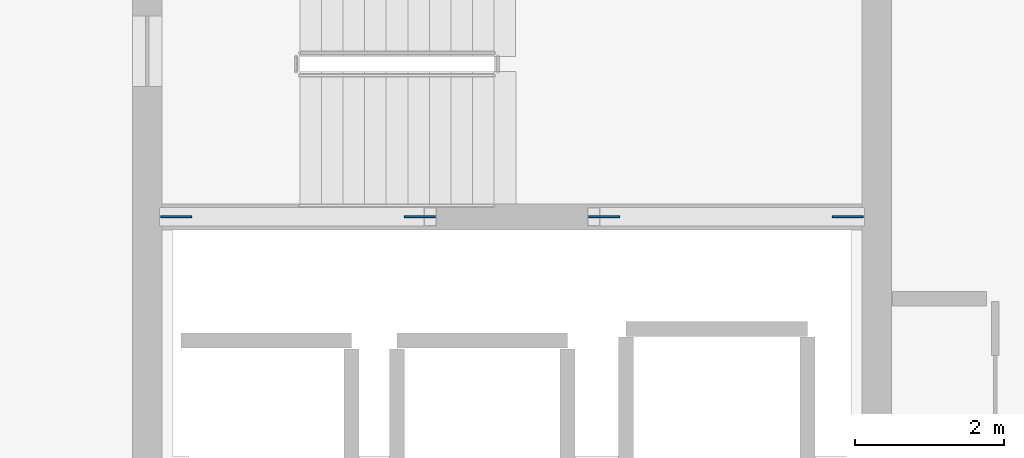
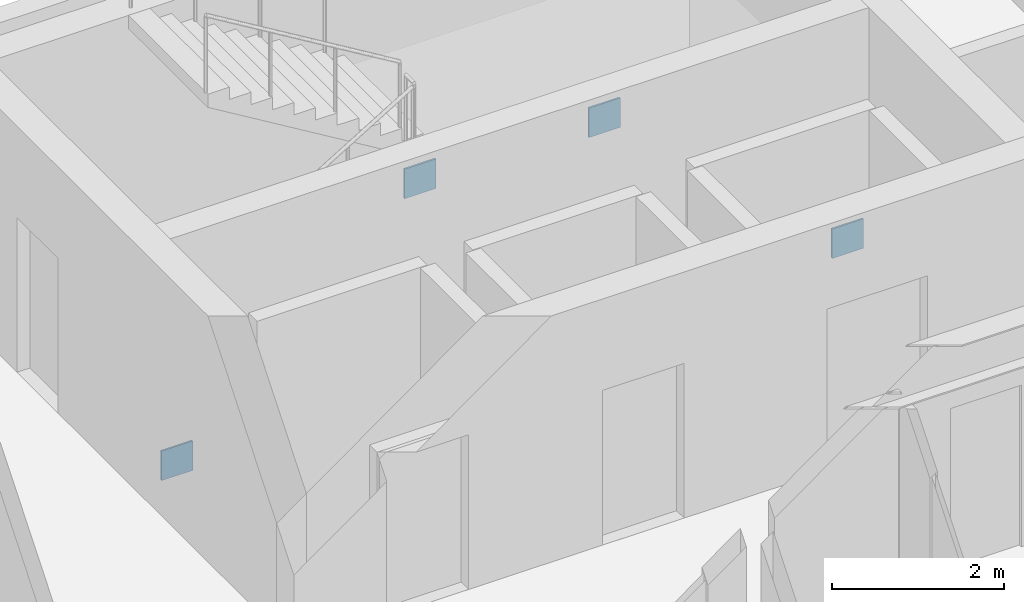
# One storey, part 8 of 23: 4 plates.
"""IFC4 building model written with IfcOpenShell, lengths in metres."""

from ifc_helpers import new_model, si_unit, direction, frame, origin, origin_2d, place, context, subcontext, project, spatial, rectangle, extrude, material, layer, layer_set, type_object, element, save


model = new_model("IFC4")

# Units and contexts
model_context = context("Model", 3, precision=1e-05, world=origin(), true_north=direction((0.0, 1.0)))
body_context = subcontext(model_context, "Body", "Model", "MODEL_VIEW")
ifc_project = project(units=[si_unit("LENGTHUNIT", "METRE"), si_unit("AREAUNIT", "SQUARE_METRE"), si_unit("VOLUMEUNIT", "CUBIC_METRE"), si_unit("PLANEANGLEUNIT", "RADIAN"), si_unit("MASSUNIT", "GRAM", prefix="KILO")], contexts=[model_context])

# Site, building, storey
site_placement = place(None, origin())
site = spatial("IfcSite", under=ifc_project, at=site_placement, CompositionType="ELEMENT")
building_placement = place(site_placement, origin())
building = spatial("IfcBuilding", under=site, at=building_placement, Name="Sollismere Congress Hotel", CompositionType="ELEMENT")
storey_placement = place(building_placement, frame((0.0, 0.0, 30.60009765625)))
storey = spatial("IfcBuildingStorey", under=building, at=storey_placement, Name="L07", CompositionType="ELEMENT", Elevation=30.60009765625)

# Plates
ifc_material = material(Name="Steel ASTM A572 Grade 50", Category="steel")
ifc_layer = layer(ifc_material, 0.02490234375, Name="Steel ASTM A572 Grade 50")
ifc_layer_set = layer_set([ifc_layer], Name="Steel ASTM A572 Grade 50")
plate_type = type_object("IfcPlateType", Name="PL-GS25", PredefinedType="USERDEFINED", material=ifc_layer_set)
for number, where, z_axis, x_axis, name in (
    (1, (94.18994140625, 14.35009765625, -0.030029296875), (0.0, 0.0, 1.0), (1.0, 0.0, 0.0), "PLT-GBF-BF-015-A"),
    (2, (97.4599609375, 14.35009765625, 2.8349609375), (0.0, 0.0, 1.0), (1.0, 0.0, 0.0), "PLT-GBF-BF-015-B"),
    (3, (103.2099609375, 14.35009765625, -0.030029296875), (0.0, 0.0, 1.0), (1.0, 0.0, 0.0), "PLT-GBF-BF-016-A"),
    (4, (99.93994140625, 14.35009765625, 2.8349609375), (0.0, 0.0, 1.0), (1.0, 0.0, 0.0), "PLT-GBF-BF-016-B"),
):
    element("IfcPlate", number, at=place(storey_placement, frame(where, z_axis=z_axis, x_axis=x_axis)), inside=storey, type_object=plate_type, Name=name, ObjectType="GUSSET PLATE", PredefinedType="USERDEFINED", context=body_context, shape_type="SweptSolid", body=[
        extrude(rectangle(XDim=0.419921875, YDim=0.02490234375, at=origin_2d()), origin(), (0.0, 0.0, 1.0), 0.419921875),
    ])

save(model, "model.ifc")
